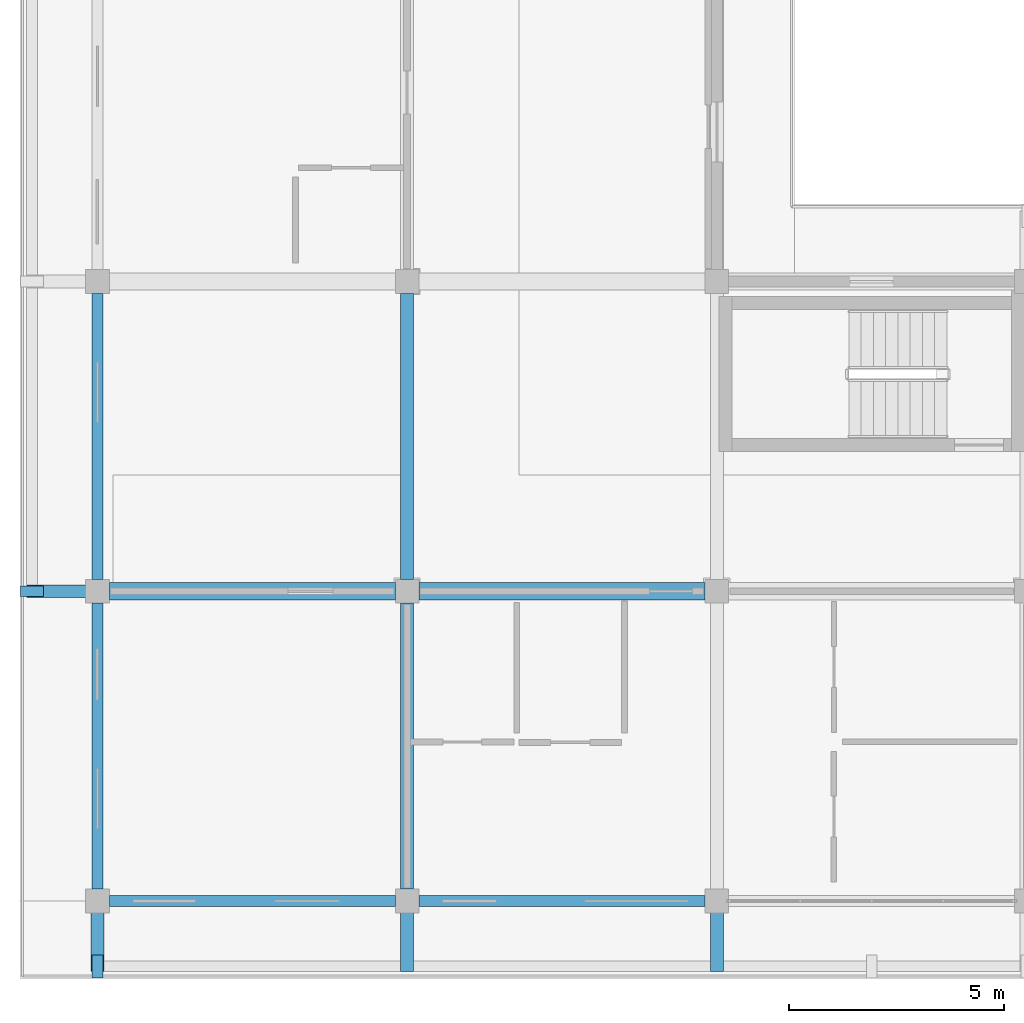
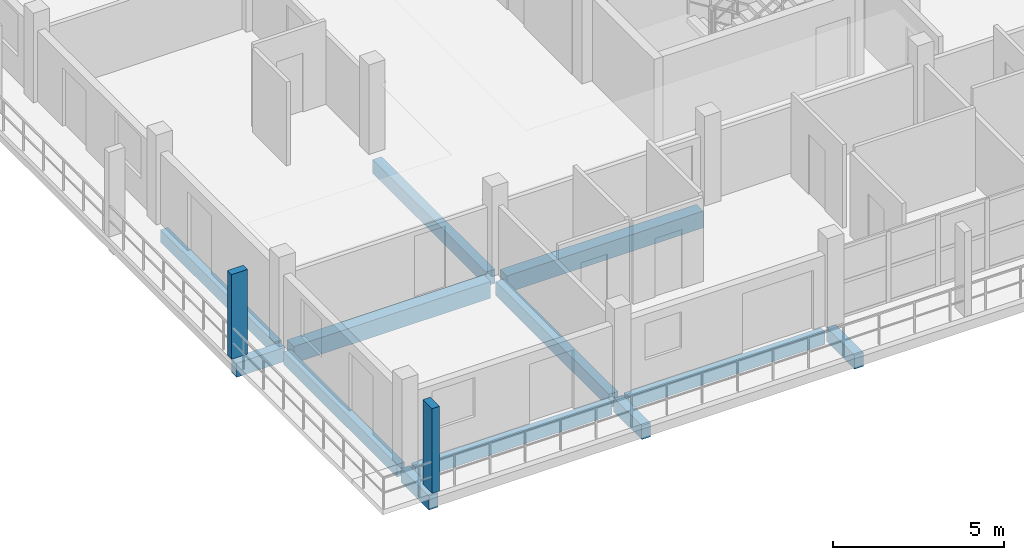
# One storey, part 3 of 67: 12 beams, 2 members.
"""IFC4 building model written with IfcOpenShell, lengths in metres."""

from ifc_helpers import new_model, si_unit, direction, frame, origin, origin_2d, place, context, subcontext, project, spatial, rectangle, extrude, material, material_profile, profile_set, type_object, element, save


model = new_model("IFC4")

# Units and contexts
model_context = context("Model", 3, precision=1e-05, world=origin(), true_north=direction((0.0, 1.0)))
body_context = subcontext(model_context, "Body", "Model", "MODEL_VIEW")
ifc_project = project(units=[si_unit("LENGTHUNIT", "METRE"), si_unit("AREAUNIT", "SQUARE_METRE"), si_unit("VOLUMEUNIT", "CUBIC_METRE"), si_unit("PLANEANGLEUNIT", "RADIAN"), si_unit("MASSUNIT", "GRAM", prefix="KILO")], contexts=[model_context])

# Site, building, storey
site_placement = place(None, origin())
site = spatial("IfcSite", under=ifc_project, at=site_placement, CompositionType="ELEMENT")
building_placement = place(site_placement, origin())
building = spatial("IfcBuilding", under=site, at=building_placement, Name="Suanplinth Sawtooth Commons", CompositionType="ELEMENT")
storey_placement = place(building_placement, frame((0.0, 0.0, 25.10009765625)))
storey = spatial("IfcBuildingStorey", under=building, at=storey_placement, Name="L07", CompositionType="ELEMENT", Elevation=25.10009765625)

# Beams
ifc_material_1 = material(Name="Precast concrete C40/50", Category="concrete")
ifc_material_profile_1 = material_profile(ifc_material_1, rectangle(XDim=0.39990234375, YDim=0.60009765625, at=origin_2d()), Name="PC-GDR 400x600")
ifc_profile_set_1 = profile_set([ifc_material_profile_1], Name="Precast concrete C40/50")
beam_type_1 = type_object("IfcBeamType", Name="B-05", PredefinedType="USERDEFINED", material=ifc_profile_set_1)
beam_1_placement = place(storey_placement, frame((0.27490234375, 7.199951171875, -0.52001953125), z_axis=(1.0, 0.0, 0.0), x_axis=(0.0, 1.0, 0.0)))
element("IfcBeam", 1, at=beam_1_placement, inside=storey, type_object=beam_type_1, Name="BMX-L07-D-0-1", ObjectType="GIRDER", PredefinedType="USERDEFINED", context=body_context, shape_type="SweptSolid", body=[
    extrude(rectangle(XDim=0.39990234375, YDim=0.60009765625, at=origin_2d()), origin(), (0.0, 0.0, 1.0), 6.650146484375),
])
beam_2_placement = place(storey_placement, frame((7.47509765625, 7.199951171875, -0.52001953125), z_axis=(1.0, 0.0, 0.0), x_axis=(0.0, 1.0, 0.0)))
element("IfcBeam", 2, at=beam_2_placement, inside=storey, type_object=beam_type_1, Name="BMX-L07-D-1-1", ObjectType="GIRDER", PredefinedType="USERDEFINED", context=body_context, shape_type="SweptSolid", body=[
    extrude(rectangle(XDim=0.39990234375, YDim=0.60009765625, at=origin_2d()), origin(), (0.0, 0.0, 1.0), 6.64990234375),
])
ifc_material_profile_2 = material_profile(ifc_material_1, rectangle(XDim=0.300048828125, YDim=0.5, at=origin_2d()), Name="PC-BM 300x500")
ifc_profile_set_2 = profile_set([ifc_material_profile_2], Name="Precast concrete C40/50")
beam_type_2 = type_object("IfcBeamType", Name="B-07", PredefinedType="BEAM", material=ifc_profile_set_2)
beam_3_placement = place(storey_placement, frame((7.199951171875, 0.27490234375, -0.47021484375), z_axis=(0.0, 1.0, 0.0), x_axis=(-1.0, 0.0, 0.0)))
element("IfcBeam", 3, at=beam_3_placement, inside=storey, type_object=beam_type_2, Name="BMY-L07-D-1-0", PredefinedType="BEAM", context=body_context, shape_type="SweptSolid", body=[
    extrude(rectangle(XDim=0.300048828125, YDim=0.5, at=origin_2d()), origin(), (0.0, 0.0, 1.0), 6.650146484375),
])
beam_4_placement = place(storey_placement, frame((7.199951171875, 7.47509765625, -0.47021484375), z_axis=(0.0, 1.0, 0.0), x_axis=(-1.0, 0.0, 0.0)))
element("IfcBeam", 4, at=beam_4_placement, inside=storey, type_object=beam_type_2, Name="BMY-L07-D-1-1", PredefinedType="BEAM", context=body_context, shape_type="SweptSolid", body=[
    extrude(rectangle(XDim=0.300048828125, YDim=0.5, at=origin_2d()), origin(), (0.0, 0.0, 1.0), 6.64990234375),
])
for number, where, z_axis, x_axis, name in (
    (5, (0.0, 0.0, -0.43017578125), (0.0, -1.0, 0.0), (1.0, 0.0, 0.0), "Balcony Outrigger L07-D-S-0"),
    (6, (7.199951171875, 0.0, -0.43017578125), (0.0, -1.0, 0.0), (1.0, 0.0, 0.0), "Balcony Outrigger L07-D-S-1"),
    (7, (14.39990234375, 0.0, -0.43017578125), (0.0, -1.0, 0.0), (1.0, 0.0, 0.0), "Balcony Outrigger L07-D-S-2"),
    (8, (0.0, 7.199951171875, -0.43017578125), (-1.0, 0.0, 0.0), (0.0, -1.0, 0.0), "Balcony Outrigger L07-D-W-1"),
):
    element("IfcBeam", number, at=place(storey_placement, frame(where, z_axis=z_axis, x_axis=x_axis)), inside=storey, type_object=beam_type_2, Name=name, PredefinedType="BEAM", context=body_context, shape_type="SweptSolid", body=[
        extrude(rectangle(XDim=0.300048828125, YDim=0.5, at=origin_2d()), origin(), (0.0, 0.0, 1.0), 1.639892578125),
    ])
ifc_material_profile_3 = material_profile(ifc_material_1, rectangle(XDim=0.25, YDim=0.449951171875, at=origin_2d()), Name="PC-SP 250x450")
ifc_profile_set_3 = profile_set([ifc_material_profile_3], Name="Precast concrete C40/50")
beam_type_3 = type_object("IfcBeamType", Name="B-09", PredefinedType="SPANDREL", material=ifc_profile_set_3)
beam_5_placement = place(storey_placement, frame((0.27490234375, 0.0, -0.445068359375), z_axis=(1.0, 0.0, 0.0), x_axis=(0.0, 1.0, 0.0)))
element("IfcBeam", 9, at=beam_5_placement, inside=storey, type_object=beam_type_3, Name="BMX-L07-D-0-0", PredefinedType="SPANDREL", context=body_context, shape_type="SweptSolid", body=[
    extrude(rectangle(XDim=0.25, YDim=0.449951171875, at=origin_2d()), origin(), (0.0, 0.0, 1.0), 6.650146484375),
])
beam_6_placement = place(storey_placement, frame((7.47509765625, 0.0, -0.445068359375), z_axis=(1.0, 0.0, 0.0), x_axis=(0.0, 1.0, 0.0)))
element("IfcBeam", 10, at=beam_6_placement, inside=storey, type_object=beam_type_3, Name="BMX-L07-D-1-0", PredefinedType="SPANDREL", context=body_context, shape_type="SweptSolid", body=[
    extrude(rectangle(XDim=0.25, YDim=0.449951171875, at=origin_2d()), origin(), (0.0, 0.0, 1.0), 6.64990234375),
])
beam_7_placement = place(storey_placement, frame((0.0, 0.27490234375, -0.445068359375), z_axis=(0.0, 1.0, 0.0), x_axis=(-1.0, 0.0, 0.0)))
element("IfcBeam", 11, at=beam_7_placement, inside=storey, type_object=beam_type_3, Name="BMY-L07-D-0-0", PredefinedType="SPANDREL", context=body_context, shape_type="SweptSolid", body=[
    extrude(rectangle(XDim=0.25, YDim=0.449951171875, at=origin_2d()), origin(), (0.0, 0.0, 1.0), 6.650146484375),
])
beam_8_placement = place(storey_placement, frame((0.0, 7.47509765625, -0.445068359375), z_axis=(0.0, 1.0, 0.0), x_axis=(-1.0, 0.0, 0.0)))
element("IfcBeam", 12, at=beam_8_placement, inside=storey, type_object=beam_type_3, Name="BMY-L07-D-0-1", PredefinedType="SPANDREL", context=body_context, shape_type="SweptSolid", body=[
    extrude(rectangle(XDim=0.25, YDim=0.449951171875, at=origin_2d()), origin(), (0.0, 0.0, 1.0), 6.64990234375),
])

# Members
ifc_material_2 = material(Name="Pigmented precast concrete C40/50", Category="concrete")
ifc_material_profile_4 = material_profile(ifc_material_2, rectangle(XDim=0.25, YDim=0.5400390625, at=origin_2d()), Name="PC-FIN 250x540")
ifc_profile_set_4 = profile_set([ifc_material_profile_4], Name="Pigmented precast concrete C40/50")
member_type = type_object("IfcMemberType", Name="M-11", PredefinedType="USERDEFINED", material=ifc_profile_set_4)
for number, where, z_axis, x_axis, name in (
    (13, (0.0, -1.52001953125, 0.0), (0.0, 0.0, 1.0), (1.0, 0.0, 0.0), "Upright Solar Blade L07-D-S-01"),
    (14, (-1.52001953125, 7.199951171875, 0.0), (0.0, 0.0, 1.0), (0.0, 1.0, 0.0), "Upright Solar Blade L07-D-W-08"),
):
    element("IfcMember", number, at=place(storey_placement, frame(where, z_axis=z_axis, x_axis=x_axis)), inside=storey, type_object=member_type, Name=name, ObjectType="SHADING FIN", PredefinedType="USERDEFINED", context=body_context, shape_type="SweptSolid", body=[
        extrude(rectangle(XDim=0.25, YDim=0.5400390625, at=origin_2d()), origin(), (0.0, 0.0, 1.0), 3.02978515625),
    ])

save(model, "model.ifc")
